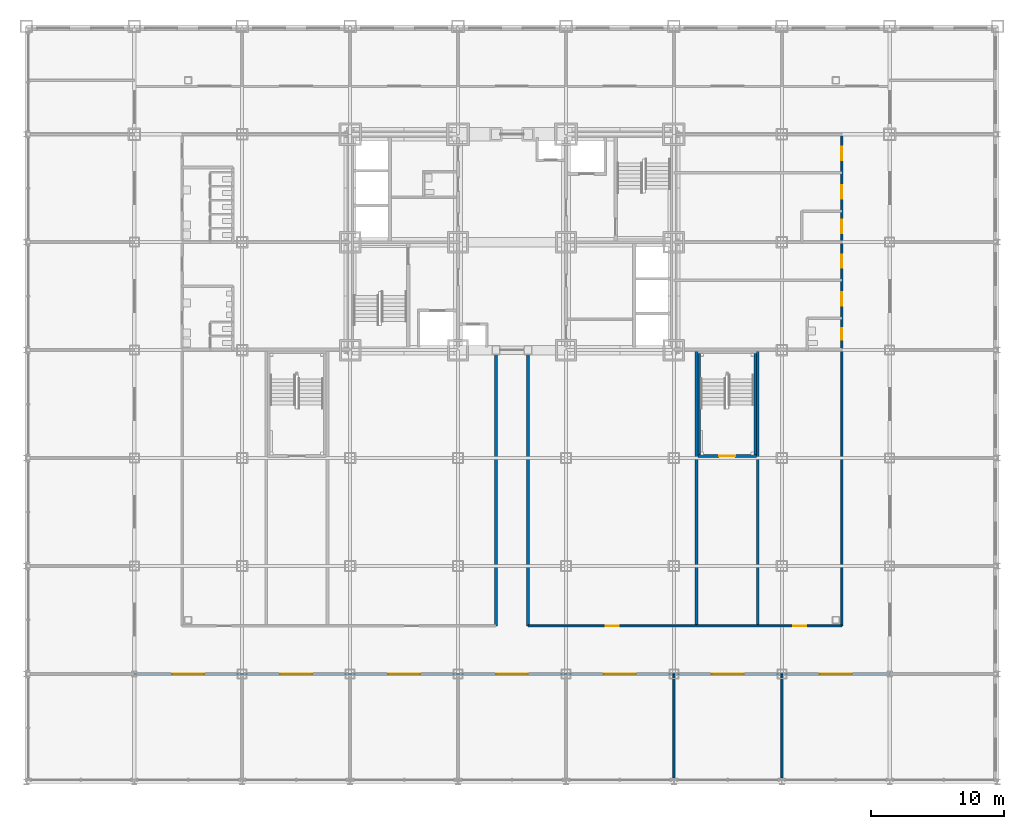
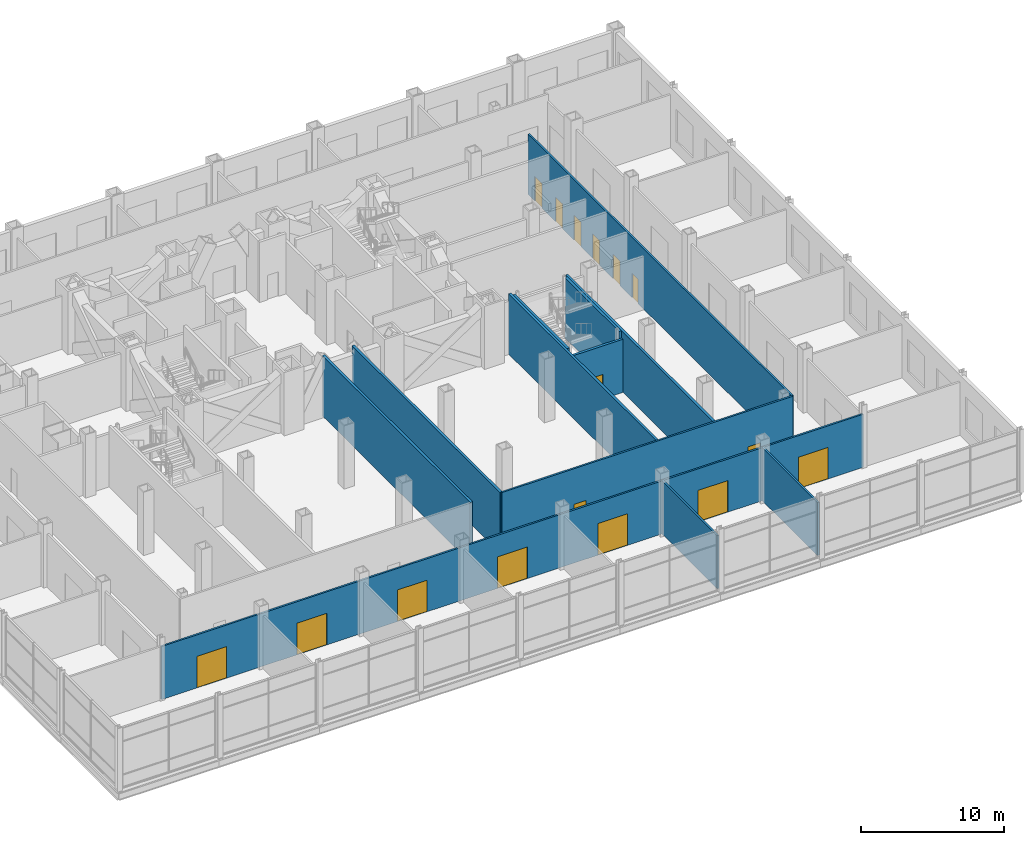
# One storey, part 22 of 30: 16 doors, 12 walls, 16 openings.
"""IFC4 building model written with IfcOpenShell, lengths in metres."""

from ifc_helpers import new_model, si_unit, direction, frame, frame_2d, origin, origin_with_axes, place, context, subcontext, project, spatial, rectangle, extrude, material, layer, layer_set, type_object, element, fill, save


model = new_model("IFC4")

# Units and contexts
model_context = context("Model", 3, precision=1e-05, world=origin(), true_north=direction((0.0, 1.0)))
body_context = subcontext(model_context, "Body", "Model", "MODEL_VIEW")
ifc_project = project(units=[si_unit("LENGTHUNIT", "METRE"), si_unit("AREAUNIT", "SQUARE_METRE"), si_unit("VOLUMEUNIT", "CUBIC_METRE"), si_unit("PLANEANGLEUNIT", "RADIAN"), si_unit("MASSUNIT", "GRAM", prefix="KILO")], contexts=[model_context])

# Site, building, storey
site_placement = place(None, origin())
site = spatial("IfcSite", under=ifc_project, at=site_placement, CompositionType="ELEMENT")
building_placement = place(site_placement, origin())
building = spatial("IfcBuilding", under=site, at=building_placement, Name="Kopane Lantern Tower", CompositionType="ELEMENT")
storey_placement = place(building_placement, frame((0.0, 0.0, 6.0)))
storey = spatial("IfcBuildingStorey", under=building, at=storey_placement, Name="L01", CompositionType="ELEMENT", Elevation=6.0)

# Wall, openings, doors
ifc_material_1 = material(Name="Gypsum board on steel studs", Category="steel")
ifc_layer_1 = layer(ifc_material_1, 0.14990234375)
ifc_layer_set_1 = layer_set([ifc_layer_1], Name="CORRIDOR WALL 150 EI 60")
wall_type_1 = type_object("IfcWallType", Name="CORRIDOR WALL 150 EI 60", PredefinedType="PARTITIONING", material=ifc_layer_set_1)
wall_1_placement = place(storey_placement, origin_with_axes())
wall_1 = element("IfcWall", 1, at=wall_1_placement, inside=storey, type_object=wall_type_1, Name="Corridor Wall 150 Ei 60 L01", PredefinedType="PARTITIONING", context=body_context, shape_type="SweptSolid", body=[
    extrude(rectangle(XDim=56.699951171875, YDim=0.14990234375, at=frame_2d((28.35009765625, 0.0))), origin(), (0.0, 0.0, 1.0), 4.537841796875),
])
opening_1_placement = place(wall_1_placement, frame((10.949951171875, 0.0, 0.0)))
opening_1 = element("IfcOpeningElement", 2, at=opening_1_placement, cuts=wall_1, Name="Opening L01-015", PredefinedType="OPENING", context=body_context, shape_type="SweptSolid", body=[
    extrude(rectangle(XDim=2.39990234375, YDim=2.699951171875, at=frame_2d((1.199951171875, 1.35009765625))), frame((0.0, 0.0849609375, 0.0), z_axis=(0.0, -1.0, 0.0), x_axis=(1.0, 0.0, 0.0)), (0.0, 0.0, 1.0), 0.169921875),
])
opening_2_placement = place(wall_1_placement, frame((19.050048828125, 0.0, 0.0)))
opening_2 = element("IfcOpeningElement", 3, at=opening_2_placement, cuts=wall_1, Name="Opening L01-016", PredefinedType="OPENING", context=body_context, shape_type="SweptSolid", body=[
    extrude(rectangle(XDim=2.39990234375, YDim=2.699951171875, at=frame_2d((1.199951171875, 1.35009765625))), frame((0.0, 0.0849609375, 0.0), z_axis=(0.0, -1.0, 0.0), x_axis=(1.0, 0.0, 0.0)), (0.0, 0.0, 1.0), 0.169921875),
])
opening_3_placement = place(wall_1_placement, frame((27.14990234375, 0.0, 0.0)))
opening_3 = element("IfcOpeningElement", 4, at=opening_3_placement, cuts=wall_1, Name="Opening L01-017", PredefinedType="OPENING", context=body_context, shape_type="SweptSolid", body=[
    extrude(rectangle(XDim=2.39990234375, YDim=2.699951171875, at=frame_2d((1.199951171875, 1.35009765625))), frame((0.0, 0.0849609375, 0.0), z_axis=(0.0, -1.0, 0.0), x_axis=(1.0, 0.0, 0.0)), (0.0, 0.0, 1.0), 0.169921875),
])
opening_4_placement = place(wall_1_placement, frame((35.25, 0.0, 0.0)))
opening_4 = element("IfcOpeningElement", 5, at=opening_4_placement, cuts=wall_1, Name="Opening L01-018", PredefinedType="OPENING", context=body_context, shape_type="SweptSolid", body=[
    extrude(rectangle(XDim=2.39990234375, YDim=2.699951171875, at=frame_2d((1.199951171875, 1.35009765625))), frame((0.0, 0.0849609375, 0.0), z_axis=(0.0, -1.0, 0.0), x_axis=(1.0, 0.0, 0.0)), (0.0, 0.0, 1.0), 0.169921875),
])
opening_5_placement = place(wall_1_placement, frame((43.35009765625, 0.0, 0.0)))
opening_5 = element("IfcOpeningElement", 6, at=opening_5_placement, cuts=wall_1, Name="Opening L01-019", PredefinedType="OPENING", context=body_context, shape_type="SweptSolid", body=[
    extrude(rectangle(XDim=2.39990234375, YDim=2.699951171875, at=frame_2d((1.199951171875, 1.35009765625))), frame((0.0, 0.0849609375, 0.0), z_axis=(0.0, -1.0, 0.0), x_axis=(1.0, 0.0, 0.0)), (0.0, 0.0, 1.0), 0.169921875),
])
opening_6_placement = place(wall_1_placement, frame((2.85009765625, 0.0, 0.0)))
opening_6 = element("IfcOpeningElement", 7, at=opening_6_placement, cuts=wall_1, Name="Opening L01-037", PredefinedType="OPENING", context=body_context, shape_type="SweptSolid", body=[
    extrude(rectangle(XDim=2.39990234375, YDim=2.699951171875, at=frame_2d((1.199951171875, 1.35009765625))), frame((0.0, 0.0849609375, 0.0), z_axis=(0.0, -1.0, 0.0), x_axis=(1.0, 0.0, 0.0)), (0.0, 0.0, 1.0), 0.169921875),
])
opening_7_placement = place(wall_1_placement, frame((51.449951171875, 0.0, 0.0)))
opening_7 = element("IfcOpeningElement", 8, at=opening_7_placement, cuts=wall_1, Name="Opening L01-038", PredefinedType="OPENING", context=body_context, shape_type="SweptSolid", body=[
    extrude(rectangle(XDim=2.39990234375, YDim=2.699951171875, at=frame_2d((1.199951171875, 1.35009765625))), frame((0.0, 0.0849609375, 0.0), z_axis=(0.0, -1.0, 0.0), x_axis=(1.0, 0.0, 0.0)), (0.0, 0.0, 1.0), 0.169921875),
])
ifc_material_2 = material(Name="Timber door set", Category="wood")
door_type_1 = type_object("IfcDoorType", Name="DOOR D7 2400x2700 SHOPFRONT", OperationType="SINGLE_SWING_LEFT", PredefinedType="DOOR", material=ifc_material_2)
door_1_placement = place(opening_1_placement, origin())
door_1 = element("IfcDoor", 9, at=door_1_placement, inside=storey, type_object=door_type_1, Name="Door L01-015", OperationType="DOUBLE_DOOR_SINGLE_SWING", OverallHeight=2.699951171875, OverallWidth=2.39990234375, PredefinedType="DOOR", context=body_context, shape_type="SweptSolid", body=[
    extrude(rectangle(XDim=2.39990234375, YDim=2.699951171875, at=frame_2d((1.199951171875, 1.35009765625))), frame((0.0, 0.02490234375, 0.0), z_axis=(0.0, -1.0, 0.0), x_axis=(1.0, 0.0, 0.0)), (0.0, 0.0, 1.0), 0.050048828125),
])
fill(opening_1, door_1)
door_2_placement = place(opening_2_placement, origin())
door_2 = element("IfcDoor", 10, at=door_2_placement, inside=storey, type_object=door_type_1, Name="Door L01-016", OperationType="DOUBLE_DOOR_SINGLE_SWING", OverallHeight=2.699951171875, OverallWidth=2.39990234375, PredefinedType="DOOR", context=body_context, shape_type="SweptSolid", body=[
    extrude(rectangle(XDim=2.39990234375, YDim=2.699951171875, at=frame_2d((1.199951171875, 1.35009765625))), frame((0.0, 0.02490234375, 0.0), z_axis=(0.0, -1.0, 0.0), x_axis=(1.0, 0.0, 0.0)), (0.0, 0.0, 1.0), 0.050048828125),
])
fill(opening_2, door_2)
door_3_placement = place(opening_3_placement, origin())
door_3 = element("IfcDoor", 11, at=door_3_placement, inside=storey, type_object=door_type_1, Name="Door L01-017", OperationType="DOUBLE_DOOR_SINGLE_SWING", OverallHeight=2.699951171875, OverallWidth=2.39990234375, PredefinedType="DOOR", context=body_context, shape_type="SweptSolid", body=[
    extrude(rectangle(XDim=2.39990234375, YDim=2.699951171875, at=frame_2d((1.199951171875, 1.35009765625))), frame((0.0, 0.02490234375, 0.0), z_axis=(0.0, -1.0, 0.0), x_axis=(1.0, 0.0, 0.0)), (0.0, 0.0, 1.0), 0.050048828125),
])
fill(opening_3, door_3)
door_4_placement = place(opening_4_placement, origin())
door_4 = element("IfcDoor", 12, at=door_4_placement, inside=storey, type_object=door_type_1, Name="Door L01-018", OperationType="DOUBLE_DOOR_SINGLE_SWING", OverallHeight=2.699951171875, OverallWidth=2.39990234375, PredefinedType="DOOR", context=body_context, shape_type="SweptSolid", body=[
    extrude(rectangle(XDim=2.39990234375, YDim=2.699951171875, at=frame_2d((1.199951171875, 1.35009765625))), frame((0.0, 0.02490234375, 0.0), z_axis=(0.0, -1.0, 0.0), x_axis=(1.0, 0.0, 0.0)), (0.0, 0.0, 1.0), 0.050048828125),
])
fill(opening_4, door_4)
door_5_placement = place(opening_5_placement, origin())
door_5 = element("IfcDoor", 13, at=door_5_placement, inside=storey, type_object=door_type_1, Name="Door L01-019", OperationType="DOUBLE_DOOR_SINGLE_SWING", OverallHeight=2.699951171875, OverallWidth=2.39990234375, PredefinedType="DOOR", context=body_context, shape_type="SweptSolid", body=[
    extrude(rectangle(XDim=2.39990234375, YDim=2.699951171875, at=frame_2d((1.199951171875, 1.35009765625))), frame((0.0, 0.02490234375, 0.0), z_axis=(0.0, -1.0, 0.0), x_axis=(1.0, 0.0, 0.0)), (0.0, 0.0, 1.0), 0.050048828125),
])
fill(opening_5, door_5)
door_6_placement = place(opening_6_placement, origin())
door_6 = element("IfcDoor", 14, at=door_6_placement, inside=storey, type_object=door_type_1, Name="Door L01-037", OperationType="DOUBLE_DOOR_SINGLE_SWING", OverallHeight=2.699951171875, OverallWidth=2.39990234375, PredefinedType="DOOR", context=body_context, shape_type="SweptSolid", body=[
    extrude(rectangle(XDim=2.39990234375, YDim=2.699951171875, at=frame_2d((1.199951171875, 1.35009765625))), frame((0.0, 0.02490234375, 0.0), z_axis=(0.0, -1.0, 0.0), x_axis=(1.0, 0.0, 0.0)), (0.0, 0.0, 1.0), 0.050048828125),
])
fill(opening_6, door_6)
door_7_placement = place(opening_7_placement, origin())
door_7 = element("IfcDoor", 15, at=door_7_placement, inside=storey, type_object=door_type_1, Name="Door L01-038", OperationType="DOUBLE_DOOR_SINGLE_SWING", OverallHeight=2.699951171875, OverallWidth=2.39990234375, PredefinedType="DOOR", context=body_context, shape_type="SweptSolid", body=[
    extrude(rectangle(XDim=2.39990234375, YDim=2.699951171875, at=frame_2d((1.199951171875, 1.35009765625))), frame((0.0, 0.02490234375, 0.0), z_axis=(0.0, -1.0, 0.0), x_axis=(1.0, 0.0, 0.0)), (0.0, 0.0, 1.0), 0.050048828125),
])
fill(opening_7, door_7)

wall_2_placement = place(storey_placement, frame((53.10009765625, 3.60009765625, 0.0), z_axis=(0.0, 0.0, 1.0), x_axis=(0.0, 1.0, 0.0)))
wall_2 = element("IfcWall", 16, at=wall_2_placement, inside=storey, type_object=wall_type_1, Name="Corridor Wall 150 Ei 60 L01", PredefinedType="PARTITIONING", context=body_context, shape_type="SweptSolid", body=[
    extrude(rectangle(XDim=36.89990234375, YDim=0.14990234375, at=frame_2d((18.449951171875, 0.0))), origin(), (0.0, 0.0, 1.0), 5.14990234375),
])
opening_8_placement = place(wall_2_placement, frame((21.47509765625, 0.0, 0.0)))
opening_8 = element("IfcOpeningElement", 17, at=opening_8_placement, cuts=wall_2, Name="Opening L01-005", PredefinedType="OPENING", context=body_context, shape_type="SweptSolid", body=[
    extrude(rectangle(XDim=0.85009765625, YDim=2.10009765625, at=frame_2d((0.425048828125, 1.050048828125))), frame((0.0, 0.0849609375, 0.0), z_axis=(0.0, -1.0, 0.0), x_axis=(1.0, 0.0, 0.0)), (0.0, 0.0, 1.0), 0.169921875),
])
opening_9_placement = place(wall_2_placement, frame((24.02490234375, 0.0, 0.0)))
opening_9 = element("IfcOpeningElement", 18, at=opening_9_placement, cuts=wall_2, Name="Opening L01-006", PredefinedType="OPENING", context=body_context, shape_type="SweptSolid", body=[
    extrude(rectangle(XDim=1.0, YDim=2.10009765625, at=frame_2d((0.5, 1.050048828125))), frame((0.0, 0.0849609375, 0.0), z_axis=(0.0, -1.0, 0.0), x_axis=(1.0, 0.0, 0.0)), (0.0, 0.0, 1.0), 0.169921875),
])
opening_10_placement = place(wall_2_placement, frame((26.875, 0.0, 0.0)))
opening_10 = element("IfcOpeningElement", 19, at=opening_10_placement, cuts=wall_2, Name="Opening L01-007", PredefinedType="OPENING", context=body_context, shape_type="SweptSolid", body=[
    extrude(rectangle(XDim=1.0, YDim=2.10009765625, at=frame_2d((0.5, 1.050048828125))), frame((0.0, 0.0849609375, 0.0), z_axis=(0.0, -1.0, 0.0), x_axis=(1.0, 0.0, 0.0)), (0.0, 0.0, 1.0), 0.169921875),
])
opening_11_placement = place(wall_2_placement, frame((29.466796875, 0.0, 0.0)))
opening_11 = element("IfcOpeningElement", 20, at=opening_11_placement, cuts=wall_2, Name="Opening L01-008", PredefinedType="OPENING", context=body_context, shape_type="SweptSolid", body=[
    extrude(rectangle(XDim=1.0, YDim=2.10009765625, at=frame_2d((0.5, 1.050048828125))), frame((0.0, 0.0849609375, 0.0), z_axis=(0.0, -1.0, 0.0), x_axis=(1.0, 0.0, 0.0)), (0.0, 0.0, 1.0), 0.169921875),
])
opening_12_placement = place(wall_2_placement, frame((32.074951171875, 0.0, 0.0)))
opening_12 = element("IfcOpeningElement", 21, at=opening_12_placement, cuts=wall_2, Name="Opening L01-009", PredefinedType="OPENING", context=body_context, shape_type="SweptSolid", body=[
    extrude(rectangle(XDim=1.0, YDim=2.10009765625, at=frame_2d((0.5, 1.050048828125))), frame((0.0, 0.0849609375, 0.0), z_axis=(0.0, -1.0, 0.0), x_axis=(1.0, 0.0, 0.0)), (0.0, 0.0, 1.0), 0.169921875),
])
opening_13_placement = place(wall_2_placement, frame((34.958251953125, 0.0, 0.0)))
opening_13 = element("IfcOpeningElement", 22, at=opening_13_placement, cuts=wall_2, Name="Opening L01-010", PredefinedType="OPENING", context=body_context, shape_type="SweptSolid", body=[
    extrude(rectangle(XDim=1.0, YDim=2.10009765625, at=frame_2d((0.5, 1.050048828125))), frame((0.0, 0.0849609375, 0.0), z_axis=(0.0, -1.0, 0.0), x_axis=(1.0, 0.0, 0.0)), (0.0, 0.0, 1.0), 0.169921875),
])
ifc_material_3 = material(Name="Timber door set", Category="wood")
door_type_2 = type_object("IfcDoorType", Name="DOOR D4 850x2100", OperationType="SINGLE_SWING_LEFT", PredefinedType="DOOR", material=ifc_material_3)
door_8_placement = place(opening_8_placement, origin())
door_8 = element("IfcDoor", 23, at=door_8_placement, inside=storey, type_object=door_type_2, Name="Door L01-005", OperationType="SINGLE_SWING_LEFT", OverallHeight=2.10009765625, OverallWidth=0.85009765625, PredefinedType="DOOR", context=body_context, shape_type="SweptSolid", body=[
    extrude(rectangle(XDim=0.85009765625, YDim=2.10009765625, at=frame_2d((0.425048828125, 1.050048828125))), frame((0.0, 0.02490234375, 0.0), z_axis=(0.0, -1.0, 0.0), x_axis=(1.0, 0.0, 0.0)), (0.0, 0.0, 1.0), 0.050048828125),
])
fill(opening_8, door_8)
ifc_material_4 = material(Name="Steel door set", Category="steel")
door_type_3 = type_object("IfcDoorType", Name="DOOR D5 1000x2100 FD60", OperationType="SINGLE_SWING_LEFT", PredefinedType="DOOR", material=ifc_material_4)
door_9_placement = place(opening_9_placement, origin())
door_9 = element("IfcDoor", 24, at=door_9_placement, inside=storey, type_object=door_type_3, Name="Door L01-006", OperationType="SINGLE_SWING_RIGHT", OverallHeight=2.10009765625, OverallWidth=1.0, PredefinedType="DOOR", context=body_context, shape_type="SweptSolid", body=[
    extrude(rectangle(XDim=1.0, YDim=2.10009765625, at=frame_2d((0.5, 1.050048828125))), frame((0.0, 0.02490234375, 0.0), z_axis=(0.0, -1.0, 0.0), x_axis=(1.0, 0.0, 0.0)), (0.0, 0.0, 1.0), 0.050048828125),
])
fill(opening_9, door_9)
door_10_placement = place(opening_10_placement, origin())
door_10 = element("IfcDoor", 25, at=door_10_placement, inside=storey, type_object=door_type_3, Name="Door L01-007", OperationType="SINGLE_SWING_LEFT", OverallHeight=2.10009765625, OverallWidth=1.0, PredefinedType="DOOR", context=body_context, shape_type="SweptSolid", body=[
    extrude(rectangle(XDim=1.0, YDim=2.10009765625, at=frame_2d((0.5, 1.050048828125))), frame((0.0, 0.02490234375, 0.0), z_axis=(0.0, -1.0, 0.0), x_axis=(1.0, 0.0, 0.0)), (0.0, 0.0, 1.0), 0.050048828125),
])
fill(opening_10, door_10)
door_11_placement = place(opening_11_placement, origin())
door_11 = element("IfcDoor", 26, at=door_11_placement, inside=storey, type_object=door_type_3, Name="Door L01-008", OperationType="SINGLE_SWING_RIGHT", OverallHeight=2.10009765625, OverallWidth=1.0, PredefinedType="DOOR", context=body_context, shape_type="SweptSolid", body=[
    extrude(rectangle(XDim=1.0, YDim=2.10009765625, at=frame_2d((0.5, 1.050048828125))), frame((0.0, 0.02490234375, 0.0), z_axis=(0.0, -1.0, 0.0), x_axis=(1.0, 0.0, 0.0)), (0.0, 0.0, 1.0), 0.050048828125),
])
fill(opening_11, door_11)
door_12_placement = place(opening_12_placement, origin())
door_12 = element("IfcDoor", 27, at=door_12_placement, inside=storey, type_object=door_type_3, Name="Door L01-009", OperationType="SINGLE_SWING_LEFT", OverallHeight=2.10009765625, OverallWidth=1.0, PredefinedType="DOOR", context=body_context, shape_type="SweptSolid", body=[
    extrude(rectangle(XDim=1.0, YDim=2.10009765625, at=frame_2d((0.5, 1.050048828125))), frame((0.0, 0.02490234375, 0.0), z_axis=(0.0, -1.0, 0.0), x_axis=(1.0, 0.0, 0.0)), (0.0, 0.0, 1.0), 0.050048828125),
])
fill(opening_12, door_12)
door_13_placement = place(opening_13_placement, origin())
door_13 = element("IfcDoor", 28, at=door_13_placement, inside=storey, type_object=door_type_3, Name="Door L01-010", OperationType="SINGLE_SWING_RIGHT", OverallHeight=2.10009765625, OverallWidth=1.0, PredefinedType="DOOR", context=body_context, shape_type="SweptSolid", body=[
    extrude(rectangle(XDim=1.0, YDim=2.10009765625, at=frame_2d((0.5, 1.050048828125))), frame((0.0, 0.02490234375, 0.0), z_axis=(0.0, -1.0, 0.0), x_axis=(1.0, 0.0, 0.0)), (0.0, 0.0, 1.0), 0.050048828125),
])
fill(opening_13, door_13)

wall_3_placement = place(storey_placement, frame((29.56005859375, 3.60009765625, 0.0), z_axis=(0.0, 0.0, 1.0), x_axis=(1.0, 0.0, 0.0)))
wall_3 = element("IfcWall", 29, at=wall_3_placement, inside=storey, type_object=wall_type_1, Name="Corridor Wall 150 Ei 60 L01", PredefinedType="PARTITIONING", context=body_context, shape_type="SweptSolid", body=[
    extrude(rectangle(XDim=23.5400390625, YDim=0.14990234375, at=frame_2d((11.77001953125, 0.0))), origin(), (0.0, 0.0, 1.0), 5.14990234375),
])
opening_14_placement = place(wall_3_placement, frame((5.81494140625, 0.0, 0.0)))
opening_14 = element("IfcOpeningElement", 30, at=opening_14_placement, cuts=wall_3, Name="Opening L01-013", PredefinedType="OPENING", context=body_context, shape_type="SweptSolid", body=[
    extrude(rectangle(XDim=1.0, YDim=2.10009765625, at=frame_2d((0.5, 1.050048828125))), frame((0.0, 0.0849609375, 0.0), z_axis=(0.0, -1.0, 0.0), x_axis=(1.0, 0.0, 0.0)), (0.0, 0.0, 1.0), 0.169921875),
])
opening_15_placement = place(wall_3_placement, frame((19.889892578125, 0.0, 0.0)))
opening_15 = element("IfcOpeningElement", 31, at=opening_15_placement, cuts=wall_3, Name="Opening L01-014", PredefinedType="OPENING", context=body_context, shape_type="SweptSolid", body=[
    extrude(rectangle(XDim=1.0, YDim=2.10009765625, at=frame_2d((0.5, 1.050048828125))), frame((0.0, 0.0849609375, 0.0), z_axis=(0.0, -1.0, 0.0), x_axis=(1.0, 0.0, 0.0)), (0.0, 0.0, 1.0), 0.169921875),
])
door_14_placement = place(opening_14_placement, origin())
door_14 = element("IfcDoor", 32, at=door_14_placement, inside=storey, type_object=door_type_3, Name="Door L01-013", OperationType="SINGLE_SWING_LEFT", OverallHeight=2.10009765625, OverallWidth=1.0, PredefinedType="DOOR", context=body_context, shape_type="SweptSolid", body=[
    extrude(rectangle(XDim=1.0, YDim=2.10009765625, at=frame_2d((0.5, 1.050048828125))), frame((0.0, 0.02490234375, 0.0), z_axis=(0.0, -1.0, 0.0), x_axis=(1.0, 0.0, 0.0)), (0.0, 0.0, 1.0), 0.050048828125),
])
fill(opening_14, door_14)
door_15_placement = place(opening_15_placement, origin())
door_15 = element("IfcDoor", 33, at=door_15_placement, inside=storey, type_object=door_type_3, Name="Door L01-014", OperationType="SINGLE_SWING_RIGHT", OverallHeight=2.10009765625, OverallWidth=1.0, PredefinedType="DOOR", context=body_context, shape_type="SweptSolid", body=[
    extrude(rectangle(XDim=1.0, YDim=2.10009765625, at=frame_2d((0.5, 1.050048828125))), frame((0.0, 0.02490234375, 0.0), z_axis=(0.0, -1.0, 0.0), x_axis=(1.0, 0.0, 0.0)), (0.0, 0.0, 1.0), 0.050048828125),
])
fill(opening_15, door_15)

# Walls
ifc_material_5 = material(Name="Gypsum board on steel studs", Category="steel")
ifc_layer_2 = layer(ifc_material_5, 0.14990234375)
ifc_layer_set_2 = layer_set([ifc_layer_2], Name="DEMISING WALL 150 EI 60")
wall_type_2 = type_object("IfcWallType", Name="DEMISING WALL 150 EI 60", PredefinedType="PARTITIONING", material=ifc_layer_set_2)
for number, where, z_axis, x_axis, name in (
    (34, (40.5, 0.0, 0.0), (0.0, 0.0, 1.0), (0.0, -1.0, 0.0), "Demising Wall 150 Ei 60 L01"),
    (35, (48.60009765625, 0.0, 0.0), (0.0, 0.0, 1.0), (0.0, -1.0, 0.0), "Demising Wall 150 Ei 60 L01"),
):
    element("IfcWall", number, at=place(storey_placement, frame(where, z_axis=z_axis, x_axis=x_axis)), inside=storey, type_object=wall_type_2, Name=name, PredefinedType="PARTITIONING", context=body_context, shape_type="SweptSolid", body=[
        extrude(rectangle(XDim=7.800048828125, YDim=0.14990234375, at=frame_2d((3.89990234375, 0.0))), origin(), (0.0, 0.0, 1.0), 4.537841796875),
    ])
ifc_material_6 = material(Name="Concrete masonry", Category="masonry")
ifc_layer_3 = layer(ifc_material_6, 0.199951171875)
ifc_layer_set_3 = layer_set([ifc_layer_3], Name="PLANT ROOM WALL 200 EI 120")
wall_type_3 = type_object("IfcWallType", Name="PLANT ROOM WALL 200 EI 120", PredefinedType="SOLIDWALL", material=ifc_layer_set_3)
for number, where, z_axis, x_axis, name in (
    (36, (42.199951171875, 3.60009765625, 0.0), (0.0, 0.0, 1.0), (0.0, 1.0, 0.0), "Plant Room Wall 200 Ei 120 L01"),
    (37, (46.800048828125, 3.60009765625, 0.0), (0.0, 0.0, 1.0), (0.0, 1.0, 0.0), "Plant Room Wall 200 Ei 120 L01"),
    (38, (27.14990234375, 3.60009765625, 0.0), (0.0, 0.0, 1.0), (0.0, 1.0, 0.0), "Plant Room Wall 200 Ei 120 L01"),
    (39, (29.550048828125, 3.60009765625, 0.0), (0.0, 0.0, 1.0), (0.0, 1.0, 0.0), "Plant Room Wall 200 Ei 120 L01"),
):
    element("IfcWall", number, at=place(storey_placement, frame(where, z_axis=z_axis, x_axis=x_axis)), inside=storey, type_object=wall_type_3, Name=name, PredefinedType="SOLIDWALL", context=body_context, shape_type="SweptSolid", body=[
        extrude(rectangle(XDim=20.699951171875, YDim=0.199951171875, at=frame_2d((10.35009765625, 0.0))), origin(), (0.0, 0.0, 1.0), 5.14990234375),
    ])

# Wall, opening, door
ifc_material_7 = material(Name="Gypsum shaft wall EI 120", Category="gypsum")
ifc_layer_4 = layer(ifc_material_7, 0.199951171875)
ifc_layer_set_4 = layer_set([ifc_layer_4], Name="SHAFT WALL 200 EI 120")
wall_type_4 = type_object("IfcWallType", Name="SHAFT WALL 200 EI 120", PredefinedType="SOLIDWALL", material=ifc_layer_set_4)
wall_4_placement = place(storey_placement, frame((42.300048828125, 16.35009765625, 0.0), z_axis=(0.0, 0.0, 1.0), x_axis=(1.0, 0.0, 0.0)))
wall_4 = element("IfcWall", 40, at=wall_4_placement, inside=storey, type_object=wall_type_4, Name="Stair enclosure wall ST4 L01", PredefinedType="SOLIDWALL", context=body_context, shape_type="SweptSolid", body=[
    extrude(rectangle(XDim=4.39990234375, YDim=0.199951171875, at=frame_2d((2.199951171875, 0.0))), origin(), (0.0, 0.0, 1.0), 4.537841796875),
])
opening_16_placement = place(wall_4_placement, frame((1.60009765625, 0.0, 0.0)))
opening_16 = element("IfcOpeningElement", 41, at=opening_16_placement, cuts=wall_4, Name="Opening 01.SD4", PredefinedType="OPENING", context=body_context, shape_type="SweptSolid", body=[
    extrude(rectangle(XDim=1.199951171875, YDim=2.10009765625, at=frame_2d((0.60009765625, 1.050048828125))), frame((0.0, 0.10986328125, 0.0), z_axis=(0.0, -1.0, 0.0), x_axis=(1.0, 0.0, 0.0)), (0.0, 0.0, 1.0), 0.219970703125),
])
ifc_material_8 = material(Name="Steel door set", Category="steel")
door_type_4 = type_object("IfcDoorType", Name="STAIR DOOR 1200x2100 FD60S", OperationType="SINGLE_SWING_LEFT", PredefinedType="DOOR", material=ifc_material_8)
door_16_placement = place(opening_16_placement, origin())
door_16 = element("IfcDoor", 42, at=door_16_placement, inside=storey, type_object=door_type_4, Name="Stair door ST4 L01", OperationType="SINGLE_SWING_LEFT", OverallHeight=2.10009765625, OverallWidth=1.199951171875, PredefinedType="DOOR", context=body_context, shape_type="SweptSolid", body=[
    extrude(rectangle(XDim=1.199951171875, YDim=2.10009765625, at=frame_2d((0.60009765625, 1.050048828125))), frame((0.0, 0.02490234375, 0.0), z_axis=(0.0, -1.0, 0.0), x_axis=(1.0, 0.0, 0.0)), (0.0, 0.0, 1.0), 0.050048828125),
])
fill(opening_16, door_16)

# Walls
for number, where, z_axis, x_axis, name in (
    (43, (42.39990234375, 16.449951171875, 0.0), (0.0, 0.0, 1.0), (0.0, 1.0, 0.0), "Stair enclosure wall ST4 L01"),
    (44, (46.60009765625, 16.449951171875, 0.0), (0.0, 0.0, 1.0), (0.0, 1.0, 0.0), "Stair enclosure wall ST4 L01"),
):
    element("IfcWall", number, at=place(storey_placement, frame(where, z_axis=z_axis, x_axis=x_axis)), inside=storey, type_object=wall_type_4, Name=name, PredefinedType="SOLIDWALL", context=body_context, shape_type="SweptSolid", body=[
        extrude(rectangle(XDim=7.60009765625, YDim=0.199951171875, at=frame_2d((3.800048828125, 0.0))), origin(), (0.0, 0.0, 1.0), 5.14990234375),
    ])

save(model, "model.ifc")
